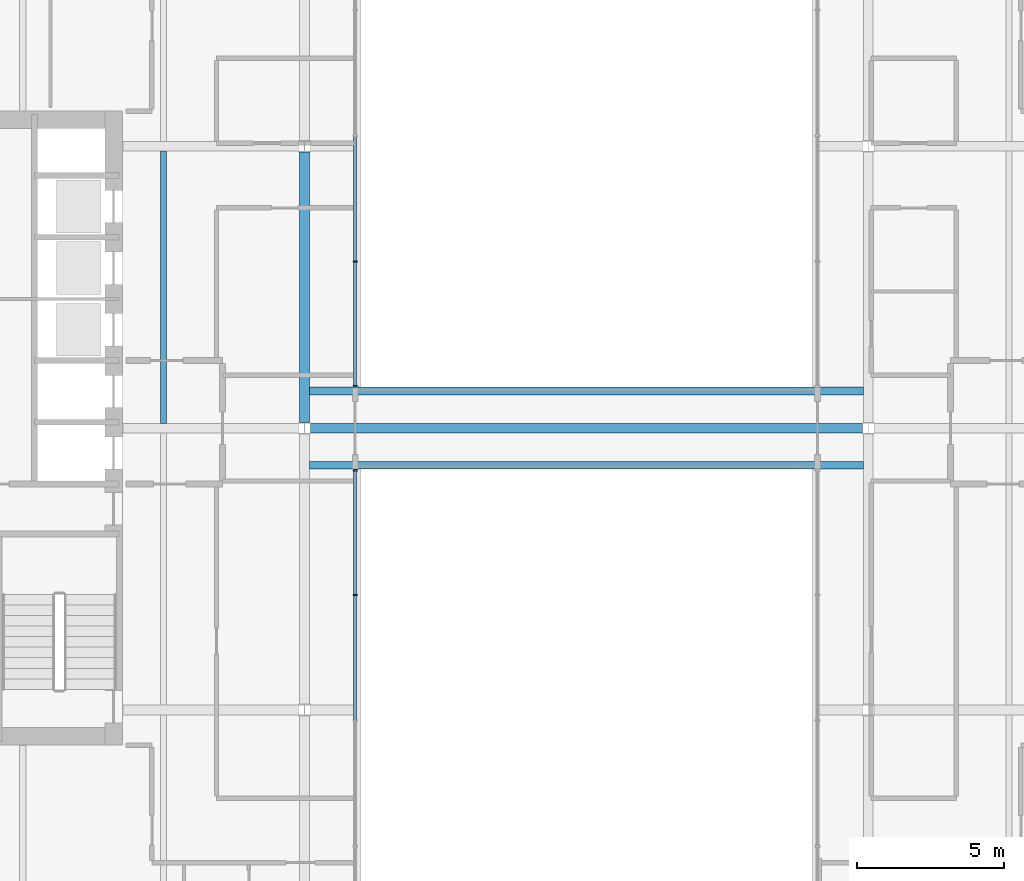
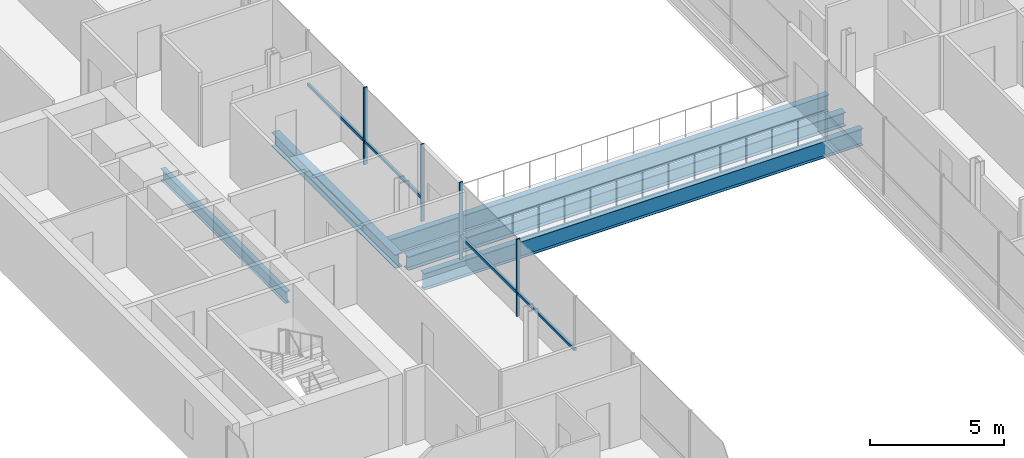
# One storey, part 3 of 17: 8 members, 5 beams, 2 elements without a shape of their own.
"""IFC4 building model written with IfcOpenShell, lengths in metres."""

import ifcopenshell
import ifcopenshell.guid

model = None  # the IFC model being written
_history = None  # IfcOwnerHistory: only IFC2X3 demands one
_inside = {}  # id of a spatial element -> (the spatial element, [elements in it])
_under = {}  # id of a project, library or spatial element -> (it, [spatial elements below it])
_declared = {}  # id of a project -> (the project, [libraries it declares])
_typed = {}  # id of a type object -> (the type object, [elements of that type])
_made_of = {}  # id of a material, layer set ... -> (it, [elements and type objects made of it])


def new_model(schema):
    """Start an empty IFC model of exactly this schema.

    Asked for "IFC4X3", IfcOpenShell would pick the latest addendum, in which some entities
    have other attributes; the version numbers below select the first issue.
    IFC2X3 requires an IfcOwnerHistory on every rooted entity: one is made here for all.
    """
    global model, _history
    if schema == "IFC4X3":
        model = ifcopenshell.file(schema_version=(4, 3, 0, 0))
    else:
        model = ifcopenshell.file(schema=schema)
    _inside.clear()
    _under.clear()
    _declared.clear()
    _typed.clear()
    _made_of.clear()
    _history = None
    if model.schema == "IFC2X3":
        org = make("IfcOrganization", Name="unknown")
        user = make(
            "IfcPersonAndOrganization",
            ThePerson=make("IfcPerson", FamilyName="unknown"),
            TheOrganization=org,
        )
        app = make(
            "IfcApplication",
            ApplicationDeveloper=org,
            Version="unknown",
            ApplicationFullName="unknown",
            ApplicationIdentifier="unknown",
        )
        _history = make(
            "IfcOwnerHistory",
            OwningUser=user,
            OwningApplication=app,
            ChangeAction="ADDED",
            CreationDate=0,
        )
    return model


def make(cls, **values):
    """One entity of the class cls with the attributes given. An attribute that is None is left unset."""
    return model.create_entity(
        cls, **{name: value for name, value in values.items() if value is not None}
    )


def rooted(cls, **values):
    """An entity with a GlobalId (a new one), such as an element, a storey or a relation."""
    return make(cls, GlobalId=ifcopenshell.guid.new(), OwnerHistory=_history, **values)


def si_unit(unit_type, name, prefix=None):
    """IfcSIUnit, for example si_unit("LENGTHUNIT", "METRE", prefix="MILLI")."""
    return make("IfcSIUnit", UnitType=unit_type, Prefix=prefix, Name=name)


def assignment(units):
    """IfcUnitAssignment: the units of a project."""
    return None if units is None else make("IfcUnitAssignment", Units=units)


def point(xyz):
    """IfcCartesianPoint."""
    return None if xyz is None else make("IfcCartesianPoint", Coordinates=xyz)


def direction(xyz):
    """IfcDirection."""
    return None if xyz is None else make("IfcDirection", DirectionRatios=xyz)


def frame(location, z_axis=None, x_axis=None):
    """IfcAxis2Placement3D, a coordinate frame: its origin and axes. An axis left out is left unset."""
    return make(
        "IfcAxis2Placement3D",
        Location=point(location),
        Axis=direction(z_axis),
        RefDirection=direction(x_axis),
    )


def frame_2d(location, x_axis=None):
    """IfcAxis2Placement2D, a coordinate frame in the plane: its origin and x axis."""
    return make(
        "IfcAxis2Placement2D", Location=point(location), RefDirection=direction(x_axis)
    )


def origin():
    """The frame at (0, 0, 0) with its axes left unset."""
    return frame((0.0, 0.0, 0.0))


def origin_2d():
    """The frame at (0, 0) in the plane with its x axis left unset."""
    return frame_2d((0.0, 0.0))


def place(relative_to, where):
    """IfcLocalPlacement: puts the frame where relative to a parent placement (None: the world)."""
    return make(
        "IfcLocalPlacement", PlacementRelTo=relative_to, RelativePlacement=where
    )


def context(
    kind, dimensions, precision=None, world=None, true_north=None, identifier=None
):
    """IfcGeometricRepresentationContext, for example the 3D "Model" context."""
    return make(
        "IfcGeometricRepresentationContext",
        ContextIdentifier=identifier,
        ContextType=kind,
        CoordinateSpaceDimension=dimensions,
        Precision=precision,
        WorldCoordinateSystem=world,
        TrueNorth=true_north,
    )


def subcontext(parent, identifier, kind, view, scale=None):
    """IfcGeometricRepresentationSubContext, for example "Body" below "Model"."""
    return make(
        "IfcGeometricRepresentationSubContext",
        ContextIdentifier=identifier,
        ContextType=kind,
        ParentContext=parent,
        TargetScale=scale,
        TargetView=view,
    )


def project(units=None, contexts=None):
    """IfcProject with its units and contexts."""
    return rooted(
        "IfcProject",
        Name="project",
        RepresentationContexts=contexts,
        UnitsInContext=assignment(units),
    )


def spatial(cls, under=None, at=None, **own):
    """A site, building, storey or space (cls), placed at a placement, below another one or the project."""
    s = rooted(cls, ObjectPlacement=at, **own)
    if under is not None:
        _under.setdefault(under.id(), (under, []))[1].append(s)
    return s


def profile(cls, at=None, kind="AREA", **sizes):
    """A parametric profile (cls). Its sizes go by their IFC names, for example OverallWidth=200.0."""
    return make(cls, ProfileType=kind, Position=at, **sizes)


def rectangle(**sizes):
    """IfcRectangleProfileDef."""
    return profile("IfcRectangleProfileDef", **sizes)


def i_section(**sizes):
    """IfcIShapeProfileDef."""
    return profile("IfcIShapeProfileDef", **sizes)


def extrude(swept, where, along, depth):
    """IfcExtrudedAreaSolid: the profile swept, set in the frame where, extruded along a direction by depth."""
    return make(
        "IfcExtrudedAreaSolid",
        SweptArea=swept,
        Position=where,
        ExtrudedDirection=direction(along),
        Depth=depth,
    )


def shape(context_of_items, identifier, shape_type, items):
    """IfcShapeRepresentation: the items that make up one representation, for example the "Body"."""
    return make(
        "IfcShapeRepresentation",
        ContextOfItems=context_of_items,
        RepresentationIdentifier=identifier,
        RepresentationType=shape_type,
        Items=items,
    )


def material(Name=None, Category=None):
    """IfcMaterial."""
    return make("IfcMaterial", Name=Name, Category=Category)


def material_profile(
    of_material, cross_section, Name=None, Category=None, Priority=None
):
    """IfcMaterialProfile: a cross section and its material."""
    return make(
        "IfcMaterialProfile",
        Name=Name,
        Material=of_material,
        Profile=cross_section,
        Priority=Priority,
        Category=Category,
    )


def profile_set(profiles, Name=None, composite=None):
    """IfcMaterialProfileSet."""
    return make(
        "IfcMaterialProfileSet",
        Name=Name,
        MaterialProfiles=profiles,
        CompositeProfile=composite,
    )


def made_of(thing, what):
    """Note that an element or type object is made of a material, layer set ...; save() writes the relation."""
    if what is not None:
        _made_of.setdefault(what.id(), (what, []))[1].append(thing)
    return thing


def type_object(cls, material=None, **own):
    """A type object (cls), such as IfcWallType, which elements share."""
    return made_of(rooted(cls, **own), material)


def element(
    cls,
    number,
    at=None,
    inside=None,
    cuts=None,
    type_object=None,
    material=None,
    context=None,
    identifier="Body",
    shape_type=None,
    held_by="IfcProductDefinitionShape",
    body=None,
    shapes=None,
    **own,
):
    """One element of the class cls, such as IfcWall. Its Tag is "e" and its number.

    at: its placement. inside: the storey or other place that contains it. cuts: it is an
    opening in that element (IfcRelVoidsElement). A single representation is given by context,
    identifier, shape_type and body (its items); several are given by shapes. held_by: the class
    of the entity that holds the representations. save() writes the other relations.
    """
    e = rooted(cls, Tag="e%d" % number, ObjectPlacement=at, **own)
    if body is not None:
        shapes = [shape(context, identifier, shape_type, body)]
    if shapes is not None:
        e.Representation = make(held_by, Representations=shapes)
    if inside is not None:
        _inside.setdefault(inside.id(), (inside, []))[1].append(e)
    if cuts is not None:
        rooted(
            "IfcRelVoidsElement", RelatingBuildingElement=cuts, RelatedOpeningElement=e
        )
    if type_object is not None:
        _typed.setdefault(type_object.id(), (type_object, []))[1].append(e)
    return made_of(e, material)


def aggregate(whole, parts):
    """IfcRelAggregates: a whole, such as a stair, and the parts it consists of."""
    return rooted("IfcRelAggregates", RelatingObject=whole, RelatedObjects=parts)


def save(model, path):
    """Write the relations noted so far, then the file.

    IfcRelAggregates (storeys below a building ...), IfcRelContainedInSpatialStructure (elements
    in a storey), IfcRelDefinesByType, IfcRelAssociatesMaterial and IfcRelDeclares: one each for
    every whole, place, type object, material and project.
    """
    for whole, parts in _under.values():
        aggregate(whole, parts)
    for where, things in _inside.values():
        rooted(
            "IfcRelContainedInSpatialStructure",
            RelatedElements=things,
            RelatingStructure=where,
        )
    for kind, things in _typed.values():
        rooted("IfcRelDefinesByType", RelatedObjects=things, RelatingType=kind)
    for what, things in _made_of.values():
        rooted("IfcRelAssociatesMaterial", RelatedObjects=things, RelatingMaterial=what)
    for by, libraries in _declared.values():
        rooted("IfcRelDeclares", RelatingContext=by, RelatedDefinitions=libraries)
    model.write(path)


model = new_model("IFC4")

# Units and contexts
model_context = context("Model", 3, precision=1e-05, world=origin(), true_north=direction((0.0, 1.0)))
body_context = subcontext(model_context, "Body", "Model", "MODEL_VIEW")
ifc_project = project(units=[si_unit("LENGTHUNIT", "METRE"), si_unit("AREAUNIT", "SQUARE_METRE"), si_unit("VOLUMEUNIT", "CUBIC_METRE"), si_unit("PLANEANGLEUNIT", "RADIAN"), si_unit("MASSUNIT", "GRAM", prefix="KILO")], contexts=[model_context])

# Site, building, storey
site_placement = place(None, origin())
site = spatial("IfcSite", under=ifc_project, at=site_placement, CompositionType="ELEMENT")
building_placement = place(site_placement, origin())
building = spatial("IfcBuilding", under=site, at=building_placement, Name="Cobrizo Arcos Hotel Tower", CompositionType="ELEMENT")
storey_placement = place(building_placement, frame((0.0, 0.0, 131.0)))
storey = spatial("IfcBuildingStorey", under=building, at=storey_placement, Name="L33", CompositionType="ELEMENT", Elevation=131.0)

# Curtain wall, members
ifc_material_1 = material(Name="Aluminium 6063-T6 anodised bronze", Category="aluminium")
curtain_wall_type = type_object("IfcCurtainWallType", Name="CW-F void screen", PredefinedType="NOTDEFINED", material=ifc_material_1)
curtain_wall_1_placement = place(storey_placement, origin())
curtain_wall_1 = element("IfcCurtainWall", 1, at=curtain_wall_1_placement, inside=storey, type_object=curtain_wall_type, Name="CW-F L33 void screen B", PredefinedType="NOTDEFINED")
ifc_material_profile_1 = material_profile(ifc_material_1, rectangle(XDim=0.14990234375, YDim=0.06005859375, at=origin_2d()), Name="CW-F mullion 150x60")
ifc_profile_set_1 = profile_set([ifc_material_profile_1], Name="Aluminium 6063-T6 anodised bronze")
member_type_1 = type_object("IfcMemberType", Name="CW-F mullion 150x60", PredefinedType="MULLION", material=ifc_profile_set_1)
member_1_placement = place(storey_placement, frame((-7.875, 5.679931640625, 0.0), z_axis=(0.0, 0.0, 1.0), x_axis=(-1.0, 0.0, 0.0)))
member_1 = element("IfcMember", 2, at=member_1_placement, type_object=member_type_1, Name="CW-F mullion 5", PredefinedType="MULLION", context=body_context, shape_type="SweptSolid", body=[
    extrude(rectangle(XDim=0.14990234375, YDim=0.06005859375, at=origin_2d()), origin(), (0.0, 0.0, 1.0), 3.5),
])
member_2_placement = place(storey_placement, frame((-7.875, 1.429931640625, 0.0), z_axis=(0.0, 0.0, 1.0), x_axis=(-1.0, 0.0, 0.0)))
member_2 = element("IfcMember", 3, at=member_2_placement, type_object=member_type_1, Name="CW-F mullion 6", PredefinedType="MULLION", context=body_context, shape_type="SweptSolid", body=[
    extrude(rectangle(XDim=0.14990234375, YDim=0.06005859375, at=origin_2d()), origin(), (0.0, 0.0, 1.0), 3.5),
])

curtain_wall_2_placement = place(storey_placement, origin())
curtain_wall_2 = element("IfcCurtainWall", 4, at=curtain_wall_2_placement, inside=storey, type_object=curtain_wall_type, Name="CW-F L33 void screen B", PredefinedType="NOTDEFINED")
member_3_placement = place(storey_placement, frame((-7.875, -1.429931640625, 0.0), z_axis=(0.0, 0.0, 1.0), x_axis=(-1.0, 0.0, 0.0)))
member_3 = element("IfcMember", 5, at=member_3_placement, type_object=member_type_1, Name="CW-F mullion 1", PredefinedType="MULLION", context=body_context, shape_type="SweptSolid", body=[
    extrude(rectangle(XDim=0.14990234375, YDim=0.06005859375, at=origin_2d()), origin(), (0.0, 0.0, 1.0), 3.5),
])
member_4_placement = place(storey_placement, frame((-7.875, -5.679931640625, 0.0), z_axis=(0.0, 0.0, 1.0), x_axis=(-1.0, 0.0, 0.0)))
member_4 = element("IfcMember", 6, at=member_4_placement, type_object=member_type_1, Name="CW-F mullion 2", PredefinedType="MULLION", context=body_context, shape_type="SweptSolid", body=[
    extrude(rectangle(XDim=0.14990234375, YDim=0.06005859375, at=origin_2d()), origin(), (0.0, 0.0, 1.0), 3.5),
])

# Member
ifc_material_profile_2 = material_profile(ifc_material_1, rectangle(XDim=0.10009765625, YDim=0.1201171875, at=origin_2d()), Name="CW-F transom 120x100")
ifc_profile_set_2 = profile_set([ifc_material_profile_2], Name="Aluminium 6063-T6 anodised bronze")
member_type_2 = type_object("IfcMemberType", Name="CW-F transom 120x100", PredefinedType="USERDEFINED", material=ifc_profile_set_2)
member_5_placement = place(storey_placement, frame((-7.875, 9.929931640625, 1.050048828125), z_axis=(0.0, -1.0, 0.0), x_axis=(1.0, 0.0, 0.0)))
member_5 = element("IfcMember", 7, at=member_5_placement, type_object=member_type_2, Name="CW-F transom 2659", ObjectType="TRANSOM", PredefinedType="USERDEFINED", context=body_context, shape_type="SweptSolid", body=[
    extrude(rectangle(XDim=0.10009765625, YDim=0.1201171875, at=origin_2d()), origin(), (0.0, 0.0, 1.0), 4.219970703125),
])

member_6_placement = place(storey_placement, frame((-7.875, 5.64990234375, 1.050048828125), z_axis=(0.0, -1.0, 0.0), x_axis=(1.0, 0.0, 0.0)))
member_6 = element("IfcMember", 8, at=member_6_placement, type_object=member_type_2, Name="CW-F transom 2660", ObjectType="TRANSOM", PredefinedType="USERDEFINED", context=body_context, shape_type="SweptSolid", body=[
    extrude(rectangle(XDim=0.10009765625, YDim=0.1201171875, at=origin_2d()), origin(), (0.0, 0.0, 1.0), 4.18994140625),
])

aggregate(curtain_wall_1, [member_1, member_2, member_5, member_6])

member_7_placement = place(storey_placement, frame((-7.875, -1.4599609375, 1.050048828125), z_axis=(0.0, -1.0, 0.0), x_axis=(1.0, 0.0, 0.0)))
member_7 = element("IfcMember", 9, at=member_7_placement, type_object=member_type_2, Name="CW-F transom 2661", ObjectType="TRANSOM", PredefinedType="USERDEFINED", context=body_context, shape_type="SweptSolid", body=[
    extrude(rectangle(XDim=0.10009765625, YDim=0.1201171875, at=origin_2d()), origin(), (0.0, 0.0, 1.0), 4.18994140625),
])

member_8_placement = place(storey_placement, frame((-7.875, -5.7099609375, 1.050048828125), z_axis=(0.0, -1.0, 0.0), x_axis=(1.0, 0.0, 0.0)))
member_8 = element("IfcMember", 10, at=member_8_placement, type_object=member_type_2, Name="CW-F transom 2662", ObjectType="TRANSOM", PredefinedType="USERDEFINED", context=body_context, shape_type="SweptSolid", body=[
    extrude(rectangle(XDim=0.10009765625, YDim=0.1201171875, at=origin_2d()), origin(), (0.0, 0.0, 1.0), 4.219970703125),
])

aggregate(curtain_wall_2, [member_3, member_4, member_7, member_8])

# Beams
ifc_material_2 = material(Name="Steel ASTM A992 Grade 50", Category="steel")
ifc_material_profile_3 = material_profile(ifc_material_2, i_section(OverallWidth=0.209228515625, OverallDepth=0.533447265625, WebThickness=0.01025390625, FlangeThickness=0.015625, at=origin_2d()), Name="W21X62")
ifc_profile_set_3 = profile_set([ifc_material_profile_3], Name="Steel ASTM A992 Grade 50")
beam_type_1 = type_object("IfcBeamType", Name="W21X62 joist", PredefinedType="JOIST", material=ifc_profile_set_3)
beam_1_placement = place(storey_placement, frame((-14.39990234375, 0.163818359375, -0.416748046875), z_axis=(0.0, 1.0, 0.0), x_axis=(-1.0, 0.0, 0.0)))
element("IfcBeam", 11, at=beam_1_placement, inside=storey, type_object=beam_type_1, Name="Floor joist J1, L33, no. 005", PredefinedType="JOIST", context=body_context, shape_type="SweptSolid", body=[
    extrude(i_section(OverallWidth=0.209228515625, OverallDepth=0.533447265625, WebThickness=0.01025390625, FlangeThickness=0.015625, at=origin_2d()), origin(), (0.0, 0.0, 1.0), 9.272216796875),
])
ifc_material_profile_4 = material_profile(ifc_material_2, i_section(OverallWidth=0.32763671875, OverallDepth=0.622314453125, WebThickness=0.015380859375, FlangeThickness=0.0244140625, at=origin_2d()), Name="W24X131")
ifc_profile_set_4 = profile_set([ifc_material_profile_4], Name="Steel ASTM A992 Grade 50")
beam_type_2 = type_object("IfcBeamType", Name="W24X131 girder", PredefinedType="BEAM", material=ifc_profile_set_4)
beam_2_placement = place(storey_placement, frame((-9.400634765625, 0.0, -0.461181640625), z_axis=(1.0, 0.0, 0.0), x_axis=(0.0, 1.0, 0.0)))
element("IfcBeam", 12, at=beam_2_placement, inside=storey, type_object=beam_type_2, Name="Floor girder G1, L33, no. 006", PredefinedType="BEAM", context=body_context, shape_type="SweptSolid", body=[
    extrude(i_section(OverallWidth=0.32763671875, OverallDepth=0.622314453125, WebThickness=0.015380859375, FlangeThickness=0.0244140625, at=origin_2d()), origin(), (0.0, 0.0, 1.0), 18.80126953125),
])
beam_3_placement = place(storey_placement, frame((-9.60009765625, 0.199462890625, -0.461181640625), z_axis=(0.0, 1.0, 0.0), x_axis=(-1.0, 0.0, 0.0)))
element("IfcBeam", 13, at=beam_3_placement, inside=storey, type_object=beam_type_2, Name="Floor girder G1, L33, no. 014", PredefinedType="BEAM", context=body_context, shape_type="SweptSolid", body=[
    extrude(i_section(OverallWidth=0.32763671875, OverallDepth=0.622314453125, WebThickness=0.015380859375, FlangeThickness=0.0244140625, at=origin_2d()), origin(), (0.0, 0.0, 1.0), 9.201171875),
])
ifc_material_profile_5 = material_profile(ifc_material_2, i_section(OverallWidth=0.2666015625, OverallDepth=0.7568359375, WebThickness=0.013916015625, FlangeThickness=0.019287109375, at=origin_2d()), Name="W30X108")
ifc_profile_set_5 = profile_set([ifc_material_profile_5], Name="Steel ASTM A992 Grade 50")
beam_type_3 = type_object("IfcBeamType", Name="W30X108 bridge girder", PredefinedType="BEAM", material=ifc_profile_set_5)
for number, where, z_axis, x_axis, name in (
    (14, (-9.43603515625, -1.2666015625, -0.5283203125), (1.0, 0.0, 0.0), (0.0, 1.0, 0.0), "Bridge girder BG1, L33, no. 001"),
    (15, (-9.43603515625, 1.2666015625, -0.5283203125), (1.0, 0.0, 0.0), (0.0, 1.0, 0.0), "Bridge girder BG1, L33, no. 002"),
):
    element("IfcBeam", number, at=place(storey_placement, frame(where, z_axis=z_axis, x_axis=x_axis)), inside=storey, type_object=beam_type_3, Name=name, PredefinedType="BEAM", context=body_context, shape_type="SweptSolid", body=[
        extrude(i_section(OverallWidth=0.2666015625, OverallDepth=0.7568359375, WebThickness=0.013916015625, FlangeThickness=0.019287109375, at=origin_2d()), origin(), (0.0, 0.0, 1.0), 18.8720703125),
    ])

save(model, "model.ifc")
